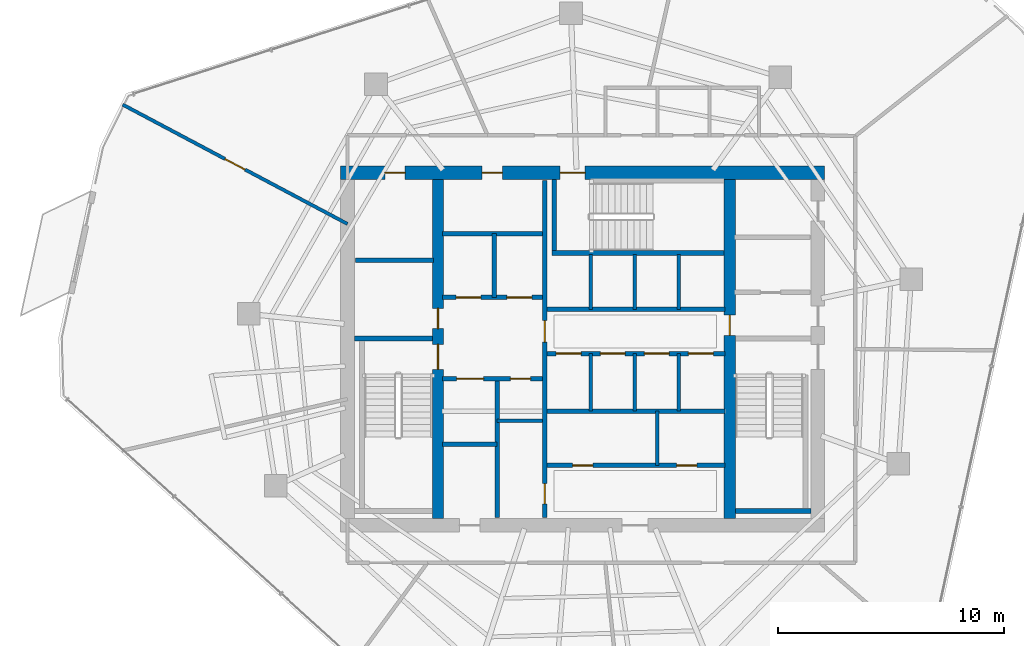
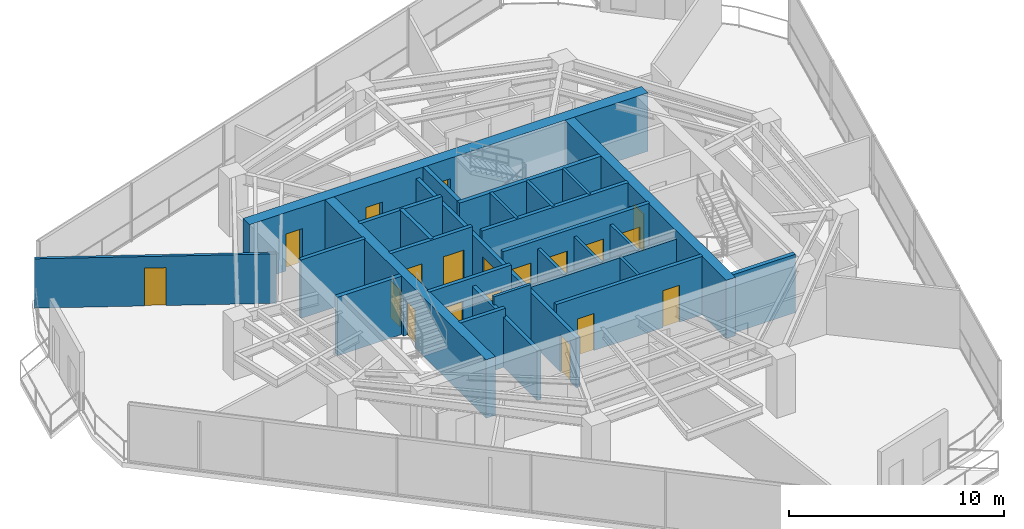
# One storey, part 17 of 21: 28 walls, 19 doors, 19 openings.
"""IFC4 building model written with IfcOpenShell, lengths in metres."""

from ifc_helpers import new_model, si_unit, direction, frame, frame_2d, origin, place, context, subcontext, project, spatial, rectangle, extrude, material, layer, layer_set, type_object, element, fill, save


model = new_model("IFC4")

# Units and contexts
model_context = context("Model", 3, precision=1e-05, world=origin(), true_north=direction((0.0, 1.0)))
body_context = subcontext(model_context, "Body", "Model", "MODEL_VIEW")
ifc_project = project(units=[si_unit("LENGTHUNIT", "METRE"), si_unit("AREAUNIT", "SQUARE_METRE"), si_unit("VOLUMEUNIT", "CUBIC_METRE"), si_unit("PLANEANGLEUNIT", "RADIAN"), si_unit("MASSUNIT", "GRAM", prefix="KILO")], contexts=[model_context])

# Site, building, storey
site_placement = place(None, origin())
site = spatial("IfcSite", under=ifc_project, at=site_placement, CompositionType="ELEMENT")
building_placement = place(site_placement, origin())
building = spatial("IfcBuilding", under=site, at=building_placement, Name="Qarnah Convention Tower", CompositionType="ELEMENT")
storey_placement = place(building_placement, frame((0.0, 0.0, 132.89990234375)))
storey = spatial("IfcBuildingStorey", under=building, at=storey_placement, Name="L35", CompositionType="ELEMENT", Elevation=132.89990234375)

# Wall, openings, doors
ifc_material_1 = material(Name="Concrete C60/75", Category="concrete")
ifc_layer_1 = layer(ifc_material_1, 0.60009765625)
ifc_layer_set_1 = layer_set([ifc_layer_1], Name="Concrete C60/75")
wall_type_1 = type_object("IfcWallType", Name="WL-CORE-600", PredefinedType="SHEAR", material=ifc_layer_set_1)
wall_1_placement = place(storey_placement, frame((26.5, 34.199951171875, 0.0), z_axis=(0.0, 0.0, 1.0), x_axis=(1.0, 0.0, 0.0)))
wall_1 = element("IfcWall", 1, at=wall_1_placement, inside=storey, type_object=wall_type_1, Name="L35 core north shear wall", PredefinedType="SHEAR", context=body_context, shape_type="SweptSolid", body=[
    extrude(rectangle(XDim=21.39990234375, YDim=0.60009765625, at=frame_2d((10.699951171875, 0.0))), origin(), (0.0, 0.0, 1.0), 3.320068359375),
])
opening_1_placement = place(wall_1_placement, frame((9.699951171875, 0.0, 0.0)))
opening_1 = element("IfcOpeningElement", 2, at=opening_1_placement, cuts=wall_1, Name="Opening D-3503", PredefinedType="OPENING", context=body_context, shape_type="SweptSolid", body=[
    extrude(rectangle(XDim=1.10009765625, YDim=2.14990234375, at=frame_2d((0.550048828125, 1.074951171875))), frame((0.0, 0.31005859375, 0.0), z_axis=(0.0, -1.0, 0.0), x_axis=(1.0, 0.0, 0.0)), (0.0, 0.0, 1.0), 0.6201171875),
])
opening_2_placement = place(wall_1_placement, frame((1.949951171875, 0.0, 0.0)))
opening_2 = element("IfcOpeningElement", 3, at=opening_2_placement, cuts=wall_1, Name="Opening D-3509", PredefinedType="OPENING", context=body_context, shape_type="SweptSolid", body=[
    extrude(rectangle(XDim=0.89990234375, YDim=2.10009765625, at=frame_2d((0.449951171875, 1.050048828125))), frame((0.0, 0.31005859375, 0.0), z_axis=(0.0, -1.0, 0.0), x_axis=(1.0, 0.0, 0.0)), (0.0, 0.0, 1.0), 0.6201171875),
])
opening_3_placement = place(wall_1_placement, frame((6.25, 0.0, 0.0)))
opening_3 = element("IfcOpeningElement", 4, at=opening_3_placement, cuts=wall_1, Name="Opening D-3510", PredefinedType="OPENING", context=body_context, shape_type="SweptSolid", body=[
    extrude(rectangle(XDim=0.89990234375, YDim=2.10009765625, at=frame_2d((0.449951171875, 1.050048828125))), frame((0.0, 0.31005859375, 0.0), z_axis=(0.0, -1.0, 0.0), x_axis=(1.0, 0.0, 0.0)), (0.0, 0.0, 1.0), 0.6201171875),
])
ifc_material_2 = material(Name="Structural steel S355JR", Category="steel")
door_type_1 = type_object("IfcDoorType", Name="DT-RISER-900", OperationType="NOTDEFINED", PredefinedType="DOOR", material=ifc_material_2)
door_1_placement = place(opening_2_placement, origin())
door_1 = element("IfcDoor", 5, at=door_1_placement, inside=storey, type_object=door_type_1, Name="Door D-3509", OperationType="SINGLE_SWING_LEFT", OverallHeight=2.10009765625, OverallWidth=0.89990234375, PredefinedType="DOOR", context=body_context, shape_type="SweptSolid", body=[
    extrude(rectangle(XDim=0.89990234375, YDim=2.10009765625, at=frame_2d((0.449951171875, 1.050048828125))), frame((0.0, 0.02490234375, 0.0), z_axis=(0.0, -1.0, 0.0), x_axis=(1.0, 0.0, 0.0)), (0.0, 0.0, 1.0), 0.050048828125),
])
fill(opening_2, door_1)
door_2_placement = place(opening_3_placement, origin())
door_2 = element("IfcDoor", 6, at=door_2_placement, inside=storey, type_object=door_type_1, Name="Door D-3510", OperationType="SINGLE_SWING_RIGHT", OverallHeight=2.10009765625, OverallWidth=0.89990234375, PredefinedType="DOOR", context=body_context, shape_type="SweptSolid", body=[
    extrude(rectangle(XDim=0.89990234375, YDim=2.10009765625, at=frame_2d((0.449951171875, 1.050048828125))), frame((0.0, 0.02490234375, 0.0), z_axis=(0.0, -1.0, 0.0), x_axis=(1.0, 0.0, 0.0)), (0.0, 0.0, 1.0), 0.050048828125),
])
fill(opening_3, door_2)
door_type_2 = type_object("IfcDoorType", Name="DT-STAIR-1100", OperationType="NOTDEFINED", PredefinedType="DOOR", material=ifc_material_2)
door_3_placement = place(opening_1_placement, origin())
door_3 = element("IfcDoor", 7, at=door_3_placement, inside=storey, type_object=door_type_2, Name="Door D-3503", OperationType="SINGLE_SWING_LEFT", OverallHeight=2.14990234375, OverallWidth=1.10009765625, PredefinedType="DOOR", context=body_context, shape_type="SweptSolid", body=[
    extrude(rectangle(XDim=1.10009765625, YDim=2.14990234375, at=frame_2d((0.550048828125, 1.074951171875))), frame((0.0, 0.02490234375, 0.0), z_axis=(0.0, -1.0, 0.0), x_axis=(1.0, 0.0, 0.0)), (0.0, 0.0, 1.0), 0.050048828125),
])
fill(opening_1, door_3)

ifc_layer_2 = layer(ifc_material_1, 0.5)
ifc_layer_set_2 = layer_set([ifc_layer_2], Name="Concrete C60/75")
wall_type_2 = type_object("IfcWallType", Name="WL-CORE-INT-400", PredefinedType="SHEAR", material=ifc_layer_set_2)
wall_2_placement = place(storey_placement, frame((30.800048828125, 18.89990234375, 0.0), z_axis=(0.0, 0.0, 1.0), x_axis=(0.0, 1.0, 0.0)))
wall_2 = element("IfcWall", 8, at=wall_2_placement, inside=storey, type_object=wall_type_2, Name="L35 core west spine shear wall", PredefinedType="SHEAR", context=body_context, shape_type="SweptSolid", body=[
    extrude(rectangle(XDim=15.0, YDim=0.5, at=frame_2d((7.5, 0.0))), origin(), (0.0, 0.0, 1.0), 3.320068359375),
])
opening_4_placement = place(wall_2_placement, frame((6.60009765625, 0.0, 0.0)))
opening_4 = element("IfcOpeningElement", 9, at=opening_4_placement, cuts=wall_2, Name="Opening D-3501", PredefinedType="OPENING", context=body_context, shape_type="SweptSolid", body=[
    extrude(rectangle(XDim=1.10009765625, YDim=2.14990234375, at=frame_2d((0.550048828125, 1.074951171875))), frame((0.0, 0.260009765625, 0.0), z_axis=(0.0, -1.0, 0.0), x_axis=(1.0, 0.0, 0.0)), (0.0, 0.0, 1.0), 0.52001953125),
])
opening_5_placement = place(wall_2_placement, frame((8.39990234375, 0.0, 0.0)))
opening_5 = element("IfcOpeningElement", 10, at=opening_5_placement, cuts=wall_2, Name="Opening D-3508", PredefinedType="OPENING", context=body_context, shape_type="SweptSolid", body=[
    extrude(rectangle(XDim=0.89990234375, YDim=2.10009765625, at=frame_2d((0.449951171875, 1.050048828125))), frame((0.0, 0.260009765625, 0.0), z_axis=(0.0, -1.0, 0.0), x_axis=(1.0, 0.0, 0.0)), (0.0, 0.0, 1.0), 0.52001953125),
])
door_4_placement = place(opening_5_placement, origin())
door_4 = element("IfcDoor", 11, at=door_4_placement, inside=storey, type_object=door_type_1, Name="Door D-3508", OperationType="SINGLE_SWING_RIGHT", OverallHeight=2.10009765625, OverallWidth=0.89990234375, PredefinedType="DOOR", context=body_context, shape_type="SweptSolid", body=[
    extrude(rectangle(XDim=0.89990234375, YDim=2.10009765625, at=frame_2d((0.449951171875, 1.050048828125))), frame((0.0, 0.02490234375, 0.0), z_axis=(0.0, -1.0, 0.0), x_axis=(1.0, 0.0, 0.0)), (0.0, 0.0, 1.0), 0.050048828125),
])
fill(opening_5, door_4)
door_5_placement = place(opening_4_placement, origin())
door_5 = element("IfcDoor", 12, at=door_5_placement, inside=storey, type_object=door_type_2, Name="Door D-3501", OperationType="SINGLE_SWING_LEFT", OverallHeight=2.14990234375, OverallWidth=1.10009765625, PredefinedType="DOOR", context=body_context, shape_type="SweptSolid", body=[
    extrude(rectangle(XDim=1.10009765625, YDim=2.14990234375, at=frame_2d((0.550048828125, 1.074951171875))), frame((0.0, 0.02490234375, 0.0), z_axis=(0.0, -1.0, 0.0), x_axis=(1.0, 0.0, 0.0)), (0.0, 0.0, 1.0), 0.050048828125),
])
fill(opening_4, door_5)

# Wall, opening, door
wall_3_placement = place(storey_placement, frame((43.699951171875, 18.89990234375, 0.0), z_axis=(0.0, 0.0, 1.0), x_axis=(0.0, 1.0, 0.0)))
wall_3 = element("IfcWall", 13, at=wall_3_placement, inside=storey, type_object=wall_type_2, Name="L35 core east spine shear wall", PredefinedType="SHEAR", context=body_context, shape_type="SweptSolid", body=[
    extrude(rectangle(XDim=15.0, YDim=0.5, at=frame_2d((7.5, 0.0))), origin(), (0.0, 0.0, 1.0), 3.320068359375),
])
opening_6_placement = place(wall_3_placement, frame((8.10009765625, 0.0, 0.0)))
opening_6 = element("IfcOpeningElement", 14, at=opening_6_placement, cuts=wall_3, Name="Opening D-3505", PredefinedType="OPENING", context=body_context, shape_type="SweptSolid", body=[
    extrude(rectangle(XDim=0.89990234375, YDim=2.10009765625, at=frame_2d((0.449951171875, 1.050048828125))), frame((0.0, 0.260009765625, 0.0), z_axis=(0.0, -1.0, 0.0), x_axis=(1.0, 0.0, 0.0)), (0.0, 0.0, 1.0), 0.52001953125),
])
door_6_placement = place(opening_6_placement, origin())
door_6 = element("IfcDoor", 15, at=door_6_placement, inside=storey, type_object=door_type_1, Name="Door D-3505", OperationType="SINGLE_SWING_LEFT", OverallHeight=2.10009765625, OverallWidth=0.89990234375, PredefinedType="DOOR", context=body_context, shape_type="SweptSolid", body=[
    extrude(rectangle(XDim=0.89990234375, YDim=2.10009765625, at=frame_2d((0.449951171875, 1.050048828125))), frame((0.0, 0.02490234375, 0.0), z_axis=(0.0, -1.0, 0.0), x_axis=(1.0, 0.0, 0.0)), (0.0, 0.0, 1.0), 0.050048828125),
])
fill(opening_6, door_6)

# Wall
ifc_material_3 = material(Name="Concrete C45/55", Category="concrete")
ifc_layer_3 = layer(ifc_material_3, 0.199951171875)
ifc_layer_set_3 = layer_set([ifc_layer_3], Name="Concrete C45/55")
wall_type_3 = type_object("IfcWallType", Name="WL-CORE-PART-200", PredefinedType="SOLIDWALL", material=ifc_layer_set_3)
wall_4_placement = place(storey_placement, frame((27.14990234375, 30.320068359375, 0.0), z_axis=(0.0, 0.0, 1.0), x_axis=(1.0, 0.0, 0.0)))
element("IfcWall", 16, at=wall_4_placement, inside=storey, type_object=wall_type_3, Name="L35 interior wall IW-L35-ELRN", PredefinedType="SOLIDWALL", context=body_context, shape_type="SweptSolid", body=[
    extrude(rectangle(XDim=3.4501953125, YDim=0.199951171875, at=frame_2d((1.72509765625, 0.0))), origin(), (0.0, 0.0, 1.0), 3.320068359375),
])

# Wall, openings, doors
wall_5_placement = place(storey_placement, frame((35.52001953125, 18.949951171875, 0.0), z_axis=(0.0, 0.0, 1.0), x_axis=(0.0, 1.0, 0.0)))
wall_5 = element("IfcWall", 17, at=wall_5_placement, inside=storey, type_object=wall_type_3, Name="L35 interior wall IW-L35-CSP", PredefinedType="SOLIDWALL", context=body_context, shape_type="SweptSolid", body=[
    extrude(rectangle(XDim=14.900146484375, YDim=0.199951171875, at=frame_2d((7.4501953125, 0.0))), origin(), (0.0, 0.0, 1.0), 2.841064453125),
])
opening_7_placement = place(wall_5_placement, frame((7.7548828125, 0.0, 0.0)))
opening_7 = element("IfcOpeningElement", 18, at=opening_7_placement, cuts=wall_5, Name="Opening D-3504", PredefinedType="OPENING", context=body_context, shape_type="SweptSolid", body=[
    extrude(rectangle(XDim=0.949951171875, YDim=2.14990234375, at=frame_2d((0.47509765625, 1.074951171875))), frame((0.0, 0.10986328125, 0.0), z_axis=(0.0, -1.0, 0.0), x_axis=(1.0, 0.0, 0.0)), (0.0, 0.0, 1.0), 0.219970703125),
])
opening_8_placement = place(wall_5_placement, frame((0.60009765625, 0.0, 0.0)))
opening_8 = element("IfcOpeningElement", 19, at=opening_8_placement, cuts=wall_5, Name="Opening D-3514", PredefinedType="OPENING", context=body_context, shape_type="SweptSolid", body=[
    extrude(rectangle(XDim=0.89990234375, YDim=2.10009765625, at=frame_2d((0.449951171875, 1.050048828125))), frame((0.0, 0.10986328125, 0.0), z_axis=(0.0, -1.0, 0.0), x_axis=(1.0, 0.0, 0.0)), (0.0, 0.0, 1.0), 0.219970703125),
])
ifc_material_4 = material(Name="Oak timber veneer", Category="wood")
door_type_3 = type_object("IfcDoorType", Name="DT-HOTEL-950", OperationType="NOTDEFINED", PredefinedType="DOOR", material=ifc_material_4)
door_7_placement = place(opening_7_placement, origin())
door_7 = element("IfcDoor", 20, at=door_7_placement, inside=storey, type_object=door_type_3, Name="Door D-3504", OperationType="SINGLE_SWING_RIGHT", OverallHeight=2.14990234375, OverallWidth=0.949951171875, PredefinedType="DOOR", context=body_context, shape_type="SweptSolid", body=[
    extrude(rectangle(XDim=0.949951171875, YDim=2.14990234375, at=frame_2d((0.47509765625, 1.074951171875))), frame((0.0, 0.02490234375, 0.0), z_axis=(0.0, -1.0, 0.0), x_axis=(1.0, 0.0, 0.0)), (0.0, 0.0, 1.0), 0.050048828125),
])
fill(opening_7, door_7)
door_8_placement = place(opening_8_placement, origin())
door_8 = element("IfcDoor", 21, at=door_8_placement, inside=storey, type_object=door_type_1, Name="Door D-3514", OperationType="SINGLE_SWING_RIGHT", OverallHeight=2.10009765625, OverallWidth=0.89990234375, PredefinedType="DOOR", context=body_context, shape_type="SweptSolid", body=[
    extrude(rectangle(XDim=0.89990234375, YDim=2.10009765625, at=frame_2d((0.449951171875, 1.050048828125))), frame((0.0, 0.02490234375, 0.0), z_axis=(0.0, -1.0, 0.0), x_axis=(1.0, 0.0, 0.0)), (0.0, 0.0, 1.0), 0.050048828125),
])
fill(opening_8, door_8)

wall_6_placement = place(storey_placement, frame((31.0, 28.679931640625, 0.0), z_axis=(0.0, 0.0, 1.0), x_axis=(1.0, 0.0, 0.0)))
wall_6 = element("IfcWall", 22, at=wall_6_placement, inside=storey, type_object=wall_type_3, Name="L35 interior wall IW-L35-FFLS", PredefinedType="SOLIDWALL", context=body_context, shape_type="SweptSolid", body=[
    extrude(rectangle(XDim=4.419921875, YDim=0.199951171875, at=frame_2d((2.2099609375, 0.0))), origin(), (0.0, 0.0, 1.0), 3.320068359375),
])
opening_9_placement = place(wall_6_placement, frame((0.60009765625, 0.0, 0.0)))
opening_9 = element("IfcOpeningElement", 23, at=opening_9_placement, cuts=wall_6, Name="Opening LD-3501", PredefinedType="OPENING", context=body_context, shape_type="SweptSolid", body=[
    extrude(rectangle(XDim=1.10009765625, YDim=2.14990234375, at=frame_2d((0.550048828125, 1.074951171875))), frame((0.0, 0.10986328125, 0.0), z_axis=(0.0, -1.0, 0.0), x_axis=(1.0, 0.0, 0.0)), (0.0, 0.0, 1.0), 0.219970703125),
])
opening_10_placement = place(wall_6_placement, frame((2.85009765625, 0.0, 0.0)))
opening_10 = element("IfcOpeningElement", 24, at=opening_10_placement, cuts=wall_6, Name="Opening LD-3502", PredefinedType="OPENING", context=body_context, shape_type="SweptSolid", body=[
    extrude(rectangle(XDim=1.10009765625, YDim=2.14990234375, at=frame_2d((0.550048828125, 1.074951171875))), frame((0.0, 0.10986328125, 0.0), z_axis=(0.0, -1.0, 0.0), x_axis=(1.0, 0.0, 0.0)), (0.0, 0.0, 1.0), 0.219970703125),
])
door_type_4 = type_object("IfcDoorType", Name="DT-LIFT-1100", OperationType="SLIDING_TO_LEFT", PredefinedType="DOOR", material=ifc_material_2)
door_9_placement = place(opening_9_placement, origin())
door_9 = element("IfcDoor", 25, at=door_9_placement, inside=storey, type_object=door_type_4, Name="Door LD-3501", OperationType="SLIDING_TO_LEFT", OverallHeight=2.14990234375, OverallWidth=1.10009765625, PredefinedType="DOOR", context=body_context, shape_type="SweptSolid", body=[
    extrude(rectangle(XDim=1.10009765625, YDim=2.14990234375, at=frame_2d((0.550048828125, 1.074951171875))), frame((0.0, 0.02490234375, 0.0), z_axis=(0.0, -1.0, 0.0), x_axis=(1.0, 0.0, 0.0)), (0.0, 0.0, 1.0), 0.050048828125),
])
fill(opening_9, door_9)
door_10_placement = place(opening_10_placement, origin())
door_10 = element("IfcDoor", 26, at=door_10_placement, inside=storey, type_object=door_type_4, Name="Door LD-3502", OperationType="SLIDING_TO_LEFT", OverallHeight=2.14990234375, OverallWidth=1.10009765625, PredefinedType="DOOR", context=body_context, shape_type="SweptSolid", body=[
    extrude(rectangle(XDim=1.10009765625, YDim=2.14990234375, at=frame_2d((0.550048828125, 1.074951171875))), frame((0.0, 0.02490234375, 0.0), z_axis=(0.0, -1.0, 0.0), x_axis=(1.0, 0.0, 0.0)), (0.0, 0.0, 1.0), 0.050048828125),
])
fill(opening_10, door_10)

# Walls
wall_7_placement = place(storey_placement, frame((31.0, 31.5, 0.0), z_axis=(0.0, 0.0, 1.0), x_axis=(1.0, 0.0, 0.0)))
element("IfcWall", 27, at=wall_7_placement, inside=storey, type_object=wall_type_3, Name="L35 interior wall IW-L35-FFLN", PredefinedType="SOLIDWALL", context=body_context, shape_type="SweptSolid", body=[
    extrude(rectangle(XDim=4.419921875, YDim=0.199951171875, at=frame_2d((2.2099609375, 0.0))), origin(), (0.0, 0.0, 1.0), 3.320068359375),
])
wall_8_placement = place(storey_placement, frame((33.280029296875, 28.679931640625, 0.0), z_axis=(0.0, 0.0, 1.0), x_axis=(0.0, 1.0, 0.0)))
element("IfcWall", 28, at=wall_8_placement, inside=storey, type_object=wall_type_3, Name="L35 interior wall IW-L35-FFLM", PredefinedType="SOLIDWALL", context=body_context, shape_type="SweptSolid", body=[
    extrude(rectangle(XDim=2.820068359375, YDim=0.199951171875, at=frame_2d((1.41015625, 0.0))), origin(), (0.0, 0.0, 1.0), 3.320068359375),
])

# Wall, openings, doors
wall_9_placement = place(storey_placement, frame((31.0, 25.080078125, 0.0), z_axis=(0.0, 0.0, 1.0), x_axis=(1.0, 0.0, 0.0)))
wall_9 = element("IfcWall", 29, at=wall_9_placement, inside=storey, type_object=wall_type_3, Name="L35 interior wall IW-L35-FFLBS", PredefinedType="SOLIDWALL", context=body_context, shape_type="SweptSolid", body=[
    extrude(rectangle(XDim=4.419921875, YDim=0.199951171875, at=frame_2d((2.2099609375, 0.0))), origin(), (0.0, 0.0, 1.0), 3.320068359375),
])
opening_11_placement = place(wall_9_placement, frame((3.0, 0.0, 0.0)))
opening_11 = element("IfcOpeningElement", 30, at=opening_11_placement, cuts=wall_9, Name="Opening D-3515", PredefinedType="OPENING", context=body_context, shape_type="SweptSolid", body=[
    extrude(rectangle(XDim=0.89990234375, YDim=2.10009765625, at=frame_2d((0.449951171875, 1.050048828125))), frame((0.0, 0.10986328125, 0.0), z_axis=(0.0, -1.0, 0.0), x_axis=(1.0, 0.0, 0.0)), (0.0, 0.0, 1.0), 0.219970703125),
])
opening_12_placement = place(wall_9_placement, frame((0.6201171875, 0.0, 0.0)))
opening_12 = element("IfcOpeningElement", 31, at=opening_12_placement, cuts=wall_9, Name="Opening LD-3503", PredefinedType="OPENING", context=body_context, shape_type="SweptSolid", body=[
    extrude(rectangle(XDim=1.199951171875, YDim=2.14990234375, at=frame_2d((0.60009765625, 1.074951171875))), frame((0.0, 0.10986328125, 0.0), z_axis=(0.0, -1.0, 0.0), x_axis=(1.0, 0.0, 0.0)), (0.0, 0.0, 1.0), 0.219970703125),
])
door_type_5 = type_object("IfcDoorType", Name="DT-LIFT-1200", OperationType="SLIDING_TO_LEFT", PredefinedType="DOOR", material=ifc_material_2)
door_11_placement = place(opening_12_placement, origin())
door_11 = element("IfcDoor", 32, at=door_11_placement, inside=storey, type_object=door_type_5, Name="Door LD-3503", OperationType="SLIDING_TO_LEFT", OverallHeight=2.14990234375, OverallWidth=1.199951171875, PredefinedType="DOOR", context=body_context, shape_type="SweptSolid", body=[
    extrude(rectangle(XDim=1.199951171875, YDim=2.14990234375, at=frame_2d((0.60009765625, 1.074951171875))), frame((0.0, 0.02490234375, 0.0), z_axis=(0.0, -1.0, 0.0), x_axis=(1.0, 0.0, 0.0)), (0.0, 0.0, 1.0), 0.050048828125),
])
fill(opening_12, door_11)
door_12_placement = place(opening_11_placement, origin())
door_12 = element("IfcDoor", 33, at=door_12_placement, inside=storey, type_object=door_type_1, Name="Door D-3515", OperationType="SINGLE_SWING_LEFT", OverallHeight=2.10009765625, OverallWidth=0.89990234375, PredefinedType="DOOR", context=body_context, shape_type="SweptSolid", body=[
    extrude(rectangle(XDim=0.89990234375, YDim=2.10009765625, at=frame_2d((0.449951171875, 1.050048828125))), frame((0.0, 0.02490234375, 0.0), z_axis=(0.0, -1.0, 0.0), x_axis=(1.0, 0.0, 0.0)), (0.0, 0.0, 1.0), 0.050048828125),
])
fill(opening_11, door_12)

# Walls
wall_10_placement = place(storey_placement, frame((33.419921875, 18.949951171875, 0.0), z_axis=(0.0, 0.0, 1.0), x_axis=(0.0, 1.0, 0.0)))
element("IfcWall", 34, at=wall_10_placement, inside=storey, type_object=wall_type_3, Name="L35 interior wall IW-L35-SVLE", PredefinedType="SOLIDWALL", context=body_context, shape_type="SweptSolid", body=[
    extrude(rectangle(XDim=6.130126953125, YDim=0.199951171875, at=frame_2d((3.06494140625, 0.0))), origin(), (0.0, 0.0, 1.0), 2.841064453125),
])
wall_11_placement = place(storey_placement, frame((31.0, 22.179931640625, 0.0), z_axis=(0.0, 0.0, 1.0), x_axis=(1.0, 0.0, 0.0)))
element("IfcWall", 35, at=wall_11_placement, inside=storey, type_object=wall_type_3, Name="L35 interior wall IW-L35-SVLS", PredefinedType="SOLIDWALL", context=body_context, shape_type="SweptSolid", body=[
    extrude(rectangle(XDim=2.419921875, YDim=0.199951171875, at=frame_2d((1.2099609375, 0.0))), origin(), (0.0, 0.0, 1.0), 3.320068359375),
])
wall_12_placement = place(storey_placement, frame((35.6201171875, 28.14990234375, 0.0), z_axis=(0.0, 0.0, 1.0), x_axis=(1.0, 0.0, 0.0)))
element("IfcWall", 36, at=wall_12_placement, inside=storey, type_object=wall_type_3, Name="L35 interior wall IW-L35-PHS", PredefinedType="SOLIDWALL", context=body_context, shape_type="SweptSolid", body=[
    extrude(rectangle(XDim=7.8798828125, YDim=0.199951171875, at=frame_2d((3.93994140625, 0.0))), origin(), (0.0, 0.0, 1.0), 3.320068359375),
])

# Wall, openings, doors
wall_13_placement = place(storey_placement, frame((35.6201171875, 26.199951171875, 0.0), z_axis=(0.0, 0.0, 1.0), x_axis=(1.0, 0.0, 0.0)))
wall_13 = element("IfcWall", 37, at=wall_13_placement, inside=storey, type_object=wall_type_3, Name="L35 interior wall IW-L35-PMN", PredefinedType="SOLIDWALL", context=body_context, shape_type="SweptSolid", body=[
    extrude(rectangle(XDim=7.8798828125, YDim=0.199951171875, at=frame_2d((3.93994140625, 0.0))), origin(), (0.0, 0.0, 1.0), 3.320068359375),
])
opening_13_placement = place(wall_13_placement, frame((0.405029296875, 0.0, 0.0)))
opening_13 = element("IfcOpeningElement", 38, at=opening_13_placement, cuts=wall_13, Name="Opening LD-3504", PredefinedType="OPENING", context=body_context, shape_type="SweptSolid", body=[
    extrude(rectangle(XDim=1.10009765625, YDim=2.14990234375, at=frame_2d((0.550048828125, 1.074951171875))), frame((0.0, 0.10986328125, 0.0), z_axis=(0.0, -1.0, 0.0), x_axis=(1.0, 0.0, 0.0)), (0.0, 0.0, 1.0), 0.219970703125),
])
opening_14_placement = place(wall_13_placement, frame((2.35498046875, 0.0, 0.0)))
opening_14 = element("IfcOpeningElement", 39, at=opening_14_placement, cuts=wall_13, Name="Opening LD-3505", PredefinedType="OPENING", context=body_context, shape_type="SweptSolid", body=[
    extrude(rectangle(XDim=1.10009765625, YDim=2.14990234375, at=frame_2d((0.550048828125, 1.074951171875))), frame((0.0, 0.10986328125, 0.0), z_axis=(0.0, -1.0, 0.0), x_axis=(1.0, 0.0, 0.0)), (0.0, 0.0, 1.0), 0.219970703125),
])
opening_15_placement = place(wall_13_placement, frame((4.304931640625, 0.0, 0.0)))
opening_15 = element("IfcOpeningElement", 40, at=opening_15_placement, cuts=wall_13, Name="Opening LD-3506", PredefinedType="OPENING", context=body_context, shape_type="SweptSolid", body=[
    extrude(rectangle(XDim=1.10009765625, YDim=2.14990234375, at=frame_2d((0.550048828125, 1.074951171875))), frame((0.0, 0.10986328125, 0.0), z_axis=(0.0, -1.0, 0.0), x_axis=(1.0, 0.0, 0.0)), (0.0, 0.0, 1.0), 0.219970703125),
])
opening_16_placement = place(wall_13_placement, frame((6.2548828125, 0.0, 0.0)))
opening_16 = element("IfcOpeningElement", 41, at=opening_16_placement, cuts=wall_13, Name="Opening LD-3507", PredefinedType="OPENING", context=body_context, shape_type="SweptSolid", body=[
    extrude(rectangle(XDim=1.10009765625, YDim=2.14990234375, at=frame_2d((0.550048828125, 1.074951171875))), frame((0.0, 0.10986328125, 0.0), z_axis=(0.0, -1.0, 0.0), x_axis=(1.0, 0.0, 0.0)), (0.0, 0.0, 1.0), 0.219970703125),
])
door_13_placement = place(opening_13_placement, origin())
door_13 = element("IfcDoor", 42, at=door_13_placement, inside=storey, type_object=door_type_4, Name="Door LD-3504", OperationType="SLIDING_TO_LEFT", OverallHeight=2.14990234375, OverallWidth=1.10009765625, PredefinedType="DOOR", context=body_context, shape_type="SweptSolid", body=[
    extrude(rectangle(XDim=1.10009765625, YDim=2.14990234375, at=frame_2d((0.550048828125, 1.074951171875))), frame((0.0, 0.02490234375, 0.0), z_axis=(0.0, -1.0, 0.0), x_axis=(1.0, 0.0, 0.0)), (0.0, 0.0, 1.0), 0.050048828125),
])
fill(opening_13, door_13)
door_14_placement = place(opening_14_placement, origin())
door_14 = element("IfcDoor", 43, at=door_14_placement, inside=storey, type_object=door_type_4, Name="Door LD-3505", OperationType="SLIDING_TO_LEFT", OverallHeight=2.14990234375, OverallWidth=1.10009765625, PredefinedType="DOOR", context=body_context, shape_type="SweptSolid", body=[
    extrude(rectangle(XDim=1.10009765625, YDim=2.14990234375, at=frame_2d((0.550048828125, 1.074951171875))), frame((0.0, 0.02490234375, 0.0), z_axis=(0.0, -1.0, 0.0), x_axis=(1.0, 0.0, 0.0)), (0.0, 0.0, 1.0), 0.050048828125),
])
fill(opening_14, door_14)
door_15_placement = place(opening_15_placement, origin())
door_15 = element("IfcDoor", 44, at=door_15_placement, inside=storey, type_object=door_type_4, Name="Door LD-3506", OperationType="SLIDING_TO_LEFT", OverallHeight=2.14990234375, OverallWidth=1.10009765625, PredefinedType="DOOR", context=body_context, shape_type="SweptSolid", body=[
    extrude(rectangle(XDim=1.10009765625, YDim=2.14990234375, at=frame_2d((0.550048828125, 1.074951171875))), frame((0.0, 0.02490234375, 0.0), z_axis=(0.0, -1.0, 0.0), x_axis=(1.0, 0.0, 0.0)), (0.0, 0.0, 1.0), 0.050048828125),
])
fill(opening_15, door_15)
door_16_placement = place(opening_16_placement, origin())
door_16 = element("IfcDoor", 45, at=door_16_placement, inside=storey, type_object=door_type_4, Name="Door LD-3507", OperationType="SLIDING_TO_LEFT", OverallHeight=2.14990234375, OverallWidth=1.10009765625, PredefinedType="DOOR", context=body_context, shape_type="SweptSolid", body=[
    extrude(rectangle(XDim=1.10009765625, YDim=2.14990234375, at=frame_2d((0.550048828125, 1.074951171875))), frame((0.0, 0.02490234375, 0.0), z_axis=(0.0, -1.0, 0.0), x_axis=(1.0, 0.0, 0.0)), (0.0, 0.0, 1.0), 0.050048828125),
])
fill(opening_16, door_16)

# Wall
wall_14_placement = place(storey_placement, frame((35.6201171875, 23.64990234375, 0.0), z_axis=(0.0, 0.0, 1.0), x_axis=(1.0, 0.0, 0.0)))
element("IfcWall", 46, at=wall_14_placement, inside=storey, type_object=wall_type_3, Name="L35 interior wall IW-L35-PMPL", PredefinedType="SOLIDWALL", context=body_context, shape_type="SweptSolid", body=[
    extrude(rectangle(XDim=7.8798828125, YDim=0.199951171875, at=frame_2d((3.93994140625, 0.0))), origin(), (0.0, 0.0, 1.0), 2.841064453125),
])

# Wall, openings, doors
wall_15_placement = place(storey_placement, frame((35.6201171875, 21.25, 0.0), z_axis=(0.0, 0.0, 1.0), x_axis=(1.0, 0.0, 0.0)))
wall_15 = element("IfcWall", 47, at=wall_15_placement, inside=storey, type_object=wall_type_3, Name="L35 interior wall IW-L35-PLS", PredefinedType="SOLIDWALL", context=body_context, shape_type="SweptSolid", body=[
    extrude(rectangle(XDim=7.8798828125, YDim=0.199951171875, at=frame_2d((3.93994140625, 0.0))), origin(), (0.0, 0.0, 1.0), 3.320068359375),
])
opening_17_placement = place(wall_15_placement, frame((1.1298828125, 0.0, 0.0)))
opening_17 = element("IfcOpeningElement", 48, at=opening_17_placement, cuts=wall_15, Name="Opening D-3516", PredefinedType="OPENING", context=body_context, shape_type="SweptSolid", body=[
    extrude(rectangle(XDim=0.89990234375, YDim=2.10009765625, at=frame_2d((0.449951171875, 1.050048828125))), frame((0.0, 0.10986328125, 0.0), z_axis=(0.0, -1.0, 0.0), x_axis=(1.0, 0.0, 0.0)), (0.0, 0.0, 1.0), 0.219970703125),
])
opening_18_placement = place(wall_15_placement, frame((5.72998046875, 0.0, 0.0)))
opening_18 = element("IfcOpeningElement", 49, at=opening_18_placement, cuts=wall_15, Name="Opening D-3517", PredefinedType="OPENING", context=body_context, shape_type="SweptSolid", body=[
    extrude(rectangle(XDim=0.89990234375, YDim=2.10009765625, at=frame_2d((0.449951171875, 1.050048828125))), frame((0.0, 0.10986328125, 0.0), z_axis=(0.0, -1.0, 0.0), x_axis=(1.0, 0.0, 0.0)), (0.0, 0.0, 1.0), 0.219970703125),
])
door_17_placement = place(opening_17_placement, origin())
door_17 = element("IfcDoor", 50, at=door_17_placement, inside=storey, type_object=door_type_1, Name="Door D-3516", OperationType="SINGLE_SWING_RIGHT", OverallHeight=2.10009765625, OverallWidth=0.89990234375, PredefinedType="DOOR", context=body_context, shape_type="SweptSolid", body=[
    extrude(rectangle(XDim=0.89990234375, YDim=2.10009765625, at=frame_2d((0.449951171875, 1.050048828125))), frame((0.0, 0.02490234375, 0.0), z_axis=(0.0, -1.0, 0.0), x_axis=(1.0, 0.0, 0.0)), (0.0, 0.0, 1.0), 0.050048828125),
])
fill(opening_17, door_17)
door_18_placement = place(opening_18_placement, origin())
door_18 = element("IfcDoor", 51, at=door_18_placement, inside=storey, type_object=door_type_1, Name="Door D-3517", OperationType="SINGLE_SWING_LEFT", OverallHeight=2.10009765625, OverallWidth=0.89990234375, PredefinedType="DOOR", context=body_context, shape_type="SweptSolid", body=[
    extrude(rectangle(XDim=0.89990234375, YDim=2.10009765625, at=frame_2d((0.449951171875, 1.050048828125))), frame((0.0, 0.02490234375, 0.0), z_axis=(0.0, -1.0, 0.0), x_axis=(1.0, 0.0, 0.0)), (0.0, 0.0, 1.0), 0.050048828125),
])
fill(opening_18, door_18)

# Walls
ifc_layer_4 = layer(ifc_material_1, 0.219970703125)
ifc_layer_set_4 = layer_set([ifc_layer_4], Name="Concrete C60/75")
wall_type_4 = type_object("IfcWallType", Name="WL-CORE-STAIR-220", PredefinedType="SHEAR", material=ifc_layer_set_4)
wall_16_placement = place(storey_placement, frame((27.10009765625, 26.860107421875, 0.0), z_axis=(0.0, 0.0, 1.0), x_axis=(1.0, 0.0, 0.0)))
element("IfcWall", 52, at=wall_16_placement, inside=storey, type_object=wall_type_4, Name="L35 stair shaft shear wall SW-L35-ST1N", PredefinedType="SHEAR", context=body_context, shape_type="SweptSolid", body=[
    extrude(rectangle(XDim=3.449951171875, YDim=0.219970703125, at=frame_2d((1.72509765625, 0.0))), origin(), (0.0, 0.0, 1.0), 3.320068359375),
])
wall_17_placement = place(storey_placement, frame((43.949951171875, 19.239990234375, 0.0), z_axis=(0.0, 0.0, 1.0), x_axis=(1.0, 0.0, 0.0)))
element("IfcWall", 53, at=wall_17_placement, inside=storey, type_object=wall_type_4, Name="L35 stair shaft shear wall SW-L35-ST2S", PredefinedType="SHEAR", context=body_context, shape_type="SweptSolid", body=[
    extrude(rectangle(XDim=3.35009765625, YDim=0.219970703125, at=frame_2d((1.675048828125, 0.0))), origin(), (0.0, 0.0, 1.0), 3.320068359375),
])
wall_18_placement = place(storey_placement, frame((35.840087890625, 30.639892578125, 0.0), z_axis=(0.0, 0.0, 1.0), x_axis=(1.0, 0.0, 0.0)))
element("IfcWall", 54, at=wall_18_placement, inside=storey, type_object=wall_type_4, Name="L35 stair shaft shear wall SW-L35-ST3S", PredefinedType="SHEAR", context=body_context, shape_type="SweptSolid", body=[
    extrude(rectangle(XDim=7.60986328125, YDim=0.219970703125, at=frame_2d((3.804931640625, 0.0))), origin(), (0.0, 0.0, 1.0), 3.320068359375),
])
wall_19_placement = place(storey_placement, frame((35.93994140625, 30.75, 0.0), z_axis=(0.0, 0.0, 1.0), x_axis=(0.0, 1.0, 0.0)))
element("IfcWall", 55, at=wall_19_placement, inside=storey, type_object=wall_type_4, Name="L35 stair shaft shear wall SW-L35-ST3W", PredefinedType="SHEAR", context=body_context, shape_type="SweptSolid", body=[
    extrude(rectangle(XDim=3.14990234375, YDim=0.219970703125, at=frame_2d((1.574951171875, 0.0))), origin(), (0.0, 0.0, 1.0), 3.320068359375),
])
ifc_material_5 = material(Name="Gypsum partition board")
ifc_layer_5 = layer(ifc_material_5, 0.14990234375)
ifc_layer_set_5 = layer_set([ifc_layer_5], Name="Gypsum partition board")
wall_type_5 = type_object("IfcWallType", Name="WL-SUITE-150", PredefinedType="PARTITIONING", material=ifc_layer_set_5)
wall_20_placement = place(storey_placement, frame((33.419921875, 23.219970703125, 0.0), z_axis=(0.0, 0.0, 1.0), x_axis=(1.0, 0.0, 0.0)))
element("IfcWall", 56, at=wall_20_placement, inside=storey, type_object=wall_type_5, Name="L35 interior wall IW-L35-CSV1", PredefinedType="PARTITIONING", context=body_context, shape_type="SweptSolid", body=[
    extrude(rectangle(XDim=2.0, YDim=0.14990234375, at=frame_2d((1.0, 0.0))), origin(), (0.0, 0.0, 1.0), 3.320068359375),
])
for number, where, z_axis, x_axis, name in (
    (57, (37.550048828125, 28.14990234375, 0.0), (0.0, 0.0, 1.0), (0.0, 1.0, 0.0), "L35 interior wall IW-L35-PHD1"),
    (58, (39.5, 28.14990234375, 0.0), (0.0, 0.0, 1.0), (0.0, 1.0, 0.0), "L35 interior wall IW-L35-PHD2"),
    (59, (41.449951171875, 28.14990234375, 0.0), (0.0, 0.0, 1.0), (0.0, 1.0, 0.0), "L35 interior wall IW-L35-PHD3"),
):
    element("IfcWall", number, at=place(storey_placement, frame(where, z_axis=z_axis, x_axis=x_axis)), inside=storey, type_object=wall_type_5, Name=name, PredefinedType="PARTITIONING", context=body_context, shape_type="SweptSolid", body=[
        extrude(rectangle(XDim=2.43017578125, YDim=0.14990234375, at=frame_2d((1.215087890625, 0.0))), origin(), (0.0, 0.0, 1.0), 3.320068359375),
    ])
for number, where, z_axis, x_axis, name in (
    (60, (37.550048828125, 23.64990234375, 0.0), (0.0, 0.0, 1.0), (0.0, 1.0, 0.0), "L35 interior wall IW-L35-PMD1"),
    (61, (39.5, 23.64990234375, 0.0), (0.0, 0.0, 1.0), (0.0, 1.0, 0.0), "L35 interior wall IW-L35-PMD2"),
    (62, (41.449951171875, 23.64990234375, 0.0), (0.0, 0.0, 1.0), (0.0, 1.0, 0.0), "L35 interior wall IW-L35-PMD3"),
):
    element("IfcWall", number, at=place(storey_placement, frame(where, z_axis=z_axis, x_axis=x_axis)), inside=storey, type_object=wall_type_5, Name=name, PredefinedType="PARTITIONING", context=body_context, shape_type="SweptSolid", body=[
        extrude(rectangle(XDim=2.550048828125, YDim=0.14990234375, at=frame_2d((1.27490234375, 0.0))), origin(), (0.0, 0.0, 1.0), 2.841064453125),
    ])
wall_21_placement = place(storey_placement, frame((40.5, 21.25, 0.0), z_axis=(0.0, 0.0, 1.0), x_axis=(0.0, 1.0, 0.0)))
element("IfcWall", 63, at=wall_21_placement, inside=storey, type_object=wall_type_5, Name="L35 interior wall IW-L35-PLFD", PredefinedType="PARTITIONING", context=body_context, shape_type="SweptSolid", body=[
    extrude(rectangle(XDim=2.39990234375, YDim=0.14990234375, at=frame_2d((1.199951171875, 0.0))), origin(), (0.0, 0.0, 1.0), 2.841064453125),
])

# Wall, opening, door
wall_22_placement = place(storey_placement, frame((16.85693359375, 37.20703125, 0.0), z_axis=(0.0, 0.0, 1.0), x_axis=(0.883306316753, -0.468796278553, 0.0)))
wall_22 = element("IfcWall", 64, at=wall_22_placement, inside=storey, type_object=wall_type_5, Name="L35 interior wall IW-L35-R-20", PredefinedType="PARTITIONING", context=body_context, shape_type="SweptSolid", body=[
    extrude(rectangle(XDim=11.256591796875, YDim=0.14990234375, at=frame_2d((5.62841796875, 0.0))), origin(), (0.0, 0.0, 1.0), 2.80517578125),
])
opening_19_placement = place(wall_22_placement, frame((5.1279296875, 0.0, 0.0)))
opening_19 = element("IfcOpeningElement", 65, at=opening_19_placement, cuts=wall_22, Name="Opening D-3525", PredefinedType="OPENING", context=body_context, shape_type="SweptSolid", body=[
    extrude(rectangle(XDim=1.0, YDim=2.14990234375, at=frame_2d((0.5, 1.074951171875))), frame((0.0, 0.0849609375, 0.0), z_axis=(0.0, -1.0, 0.0), x_axis=(1.0, 0.0, 0.0)), (0.0, 0.0, 1.0), 0.169921875),
])
door_type_6 = type_object("IfcDoorType", Name="DT-OFFICE-1000", OperationType="NOTDEFINED", PredefinedType="DOOR", material=ifc_material_4)
door_19_placement = place(opening_19_placement, origin())
door_19 = element("IfcDoor", 66, at=door_19_placement, inside=storey, type_object=door_type_6, Name="Door D-3525", OperationType="SINGLE_SWING_LEFT", OverallHeight=2.14990234375, OverallWidth=1.0, PredefinedType="DOOR", context=body_context, shape_type="SweptSolid", body=[
    extrude(rectangle(XDim=1.0, YDim=2.14990234375, at=frame_2d((0.5, 1.074951171875))), frame((0.0, 0.02490234375, 0.0), z_axis=(0.0, -1.0, 0.0), x_axis=(1.0, 0.0, 0.0)), (0.0, 0.0, 1.0), 0.050048828125),
])
fill(opening_19, door_19)

save(model, "model.ifc")
